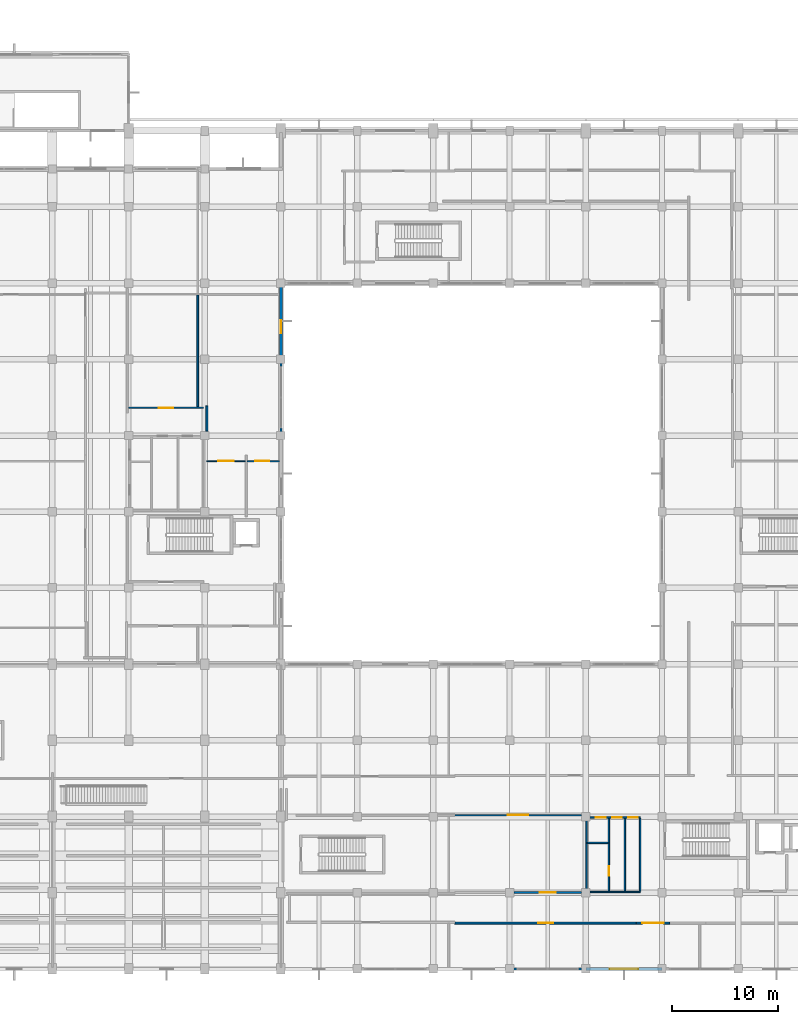
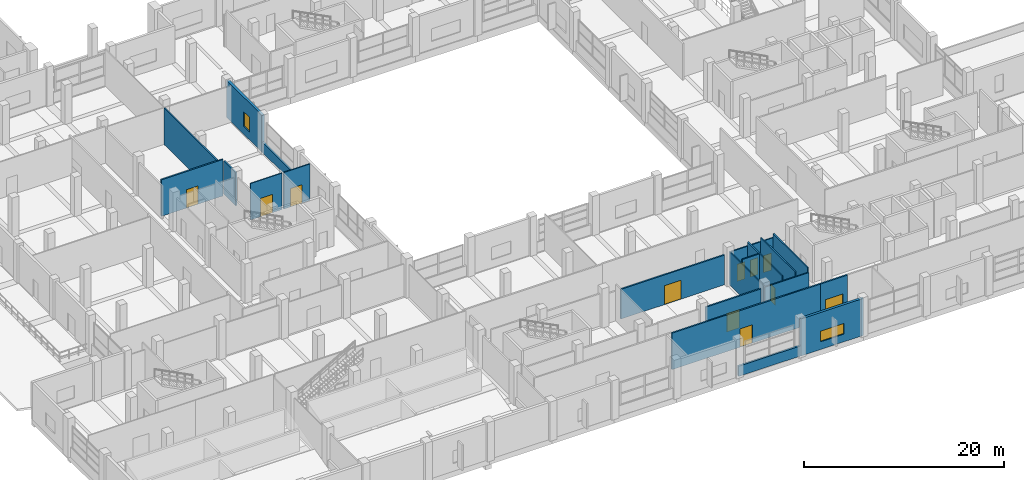
# One storey, part 121 of 140: 20 walls, 11 doors, 2 windows, 13 openings.
"""IFC4 building model written with IfcOpenShell, lengths in metres."""

import ifcopenshell
import ifcopenshell.guid

model = None  # the IFC model being written
_history = None  # IfcOwnerHistory: only IFC2X3 demands one
_inside = {}  # id of a spatial element -> (the spatial element, [elements in it])
_under = {}  # id of a project, library or spatial element -> (it, [spatial elements below it])
_declared = {}  # id of a project -> (the project, [libraries it declares])
_typed = {}  # id of a type object -> (the type object, [elements of that type])
_made_of = {}  # id of a material, layer set ... -> (it, [elements and type objects made of it])


def new_model(schema):
    """Start an empty IFC model of exactly this schema.

    Asked for "IFC4X3", IfcOpenShell would pick the latest addendum, in which some entities
    have other attributes; the version numbers below select the first issue.
    IFC2X3 requires an IfcOwnerHistory on every rooted entity: one is made here for all.
    """
    global model, _history
    if schema == "IFC4X3":
        model = ifcopenshell.file(schema_version=(4, 3, 0, 0))
    else:
        model = ifcopenshell.file(schema=schema)
    _inside.clear()
    _under.clear()
    _declared.clear()
    _typed.clear()
    _made_of.clear()
    _history = None
    if model.schema == "IFC2X3":
        org = make("IfcOrganization", Name="unknown")
        user = make(
            "IfcPersonAndOrganization",
            ThePerson=make("IfcPerson", FamilyName="unknown"),
            TheOrganization=org,
        )
        app = make(
            "IfcApplication",
            ApplicationDeveloper=org,
            Version="unknown",
            ApplicationFullName="unknown",
            ApplicationIdentifier="unknown",
        )
        _history = make(
            "IfcOwnerHistory",
            OwningUser=user,
            OwningApplication=app,
            ChangeAction="ADDED",
            CreationDate=0,
        )
    return model


def make(cls, **values):
    """One entity of the class cls with the attributes given. An attribute that is None is left unset."""
    return model.create_entity(
        cls, **{name: value for name, value in values.items() if value is not None}
    )


def rooted(cls, **values):
    """An entity with a GlobalId (a new one), such as an element, a storey or a relation."""
    return make(cls, GlobalId=ifcopenshell.guid.new(), OwnerHistory=_history, **values)


def si_unit(unit_type, name, prefix=None):
    """IfcSIUnit, for example si_unit("LENGTHUNIT", "METRE", prefix="MILLI")."""
    return make("IfcSIUnit", UnitType=unit_type, Prefix=prefix, Name=name)


def assignment(units):
    """IfcUnitAssignment: the units of a project."""
    return None if units is None else make("IfcUnitAssignment", Units=units)


def point(xyz):
    """IfcCartesianPoint."""
    return None if xyz is None else make("IfcCartesianPoint", Coordinates=xyz)


def direction(xyz):
    """IfcDirection."""
    return None if xyz is None else make("IfcDirection", DirectionRatios=xyz)


def frame(location, z_axis=None, x_axis=None):
    """IfcAxis2Placement3D, a coordinate frame: its origin and axes. An axis left out is left unset."""
    return make(
        "IfcAxis2Placement3D",
        Location=point(location),
        Axis=direction(z_axis),
        RefDirection=direction(x_axis),
    )


def frame_2d(location, x_axis=None):
    """IfcAxis2Placement2D, a coordinate frame in the plane: its origin and x axis."""
    return make(
        "IfcAxis2Placement2D", Location=point(location), RefDirection=direction(x_axis)
    )


def origin():
    """The frame at (0, 0, 0) with its axes left unset."""
    return frame((0.0, 0.0, 0.0))


def place(relative_to, where):
    """IfcLocalPlacement: puts the frame where relative to a parent placement (None: the world)."""
    return make(
        "IfcLocalPlacement", PlacementRelTo=relative_to, RelativePlacement=where
    )


def context(
    kind, dimensions, precision=None, world=None, true_north=None, identifier=None
):
    """IfcGeometricRepresentationContext, for example the 3D "Model" context."""
    return make(
        "IfcGeometricRepresentationContext",
        ContextIdentifier=identifier,
        ContextType=kind,
        CoordinateSpaceDimension=dimensions,
        Precision=precision,
        WorldCoordinateSystem=world,
        TrueNorth=true_north,
    )


def subcontext(parent, identifier, kind, view, scale=None):
    """IfcGeometricRepresentationSubContext, for example "Body" below "Model"."""
    return make(
        "IfcGeometricRepresentationSubContext",
        ContextIdentifier=identifier,
        ContextType=kind,
        ParentContext=parent,
        TargetScale=scale,
        TargetView=view,
    )


def project(units=None, contexts=None):
    """IfcProject with its units and contexts."""
    return rooted(
        "IfcProject",
        Name="project",
        RepresentationContexts=contexts,
        UnitsInContext=assignment(units),
    )


def spatial(cls, under=None, at=None, **own):
    """A site, building, storey or space (cls), placed at a placement, below another one or the project."""
    s = rooted(cls, ObjectPlacement=at, **own)
    if under is not None:
        _under.setdefault(under.id(), (under, []))[1].append(s)
    return s


def profile(cls, at=None, kind="AREA", **sizes):
    """A parametric profile (cls). Its sizes go by their IFC names, for example OverallWidth=200.0."""
    return make(cls, ProfileType=kind, Position=at, **sizes)


def rectangle(**sizes):
    """IfcRectangleProfileDef."""
    return profile("IfcRectangleProfileDef", **sizes)


def extrude(swept, where, along, depth):
    """IfcExtrudedAreaSolid: the profile swept, set in the frame where, extruded along a direction by depth."""
    return make(
        "IfcExtrudedAreaSolid",
        SweptArea=swept,
        Position=where,
        ExtrudedDirection=direction(along),
        Depth=depth,
    )


def shape(context_of_items, identifier, shape_type, items):
    """IfcShapeRepresentation: the items that make up one representation, for example the "Body"."""
    return make(
        "IfcShapeRepresentation",
        ContextOfItems=context_of_items,
        RepresentationIdentifier=identifier,
        RepresentationType=shape_type,
        Items=items,
    )


def material(Name=None, Category=None):
    """IfcMaterial."""
    return make("IfcMaterial", Name=Name, Category=Category)


def layer(
    of_material, thickness, ventilated=None, Name=None, Category=None, Priority=None
):
    """IfcMaterialLayer: one layer of a wall or slab, of a material (None: an air gap)."""
    return make(
        "IfcMaterialLayer",
        Material=of_material,
        LayerThickness=thickness,
        IsVentilated=ventilated,
        Name=Name,
        Category=Category,
        Priority=Priority,
    )


def layer_set(layers, Name=None):
    """IfcMaterialLayerSet."""
    return make("IfcMaterialLayerSet", MaterialLayers=layers, LayerSetName=Name)


def made_of(thing, what):
    """Note that an element or type object is made of a material, layer set ...; save() writes the relation."""
    if what is not None:
        _made_of.setdefault(what.id(), (what, []))[1].append(thing)
    return thing


def type_object(cls, material=None, **own):
    """A type object (cls), such as IfcWallType, which elements share."""
    return made_of(rooted(cls, **own), material)


def element(
    cls,
    number,
    at=None,
    inside=None,
    cuts=None,
    type_object=None,
    material=None,
    context=None,
    identifier="Body",
    shape_type=None,
    held_by="IfcProductDefinitionShape",
    body=None,
    shapes=None,
    **own,
):
    """One element of the class cls, such as IfcWall. Its Tag is "e" and its number.

    at: its placement. inside: the storey or other place that contains it. cuts: it is an
    opening in that element (IfcRelVoidsElement). A single representation is given by context,
    identifier, shape_type and body (its items); several are given by shapes. held_by: the class
    of the entity that holds the representations. save() writes the other relations.
    """
    e = rooted(cls, Tag="e%d" % number, ObjectPlacement=at, **own)
    if body is not None:
        shapes = [shape(context, identifier, shape_type, body)]
    if shapes is not None:
        e.Representation = make(held_by, Representations=shapes)
    if inside is not None:
        _inside.setdefault(inside.id(), (inside, []))[1].append(e)
    if cuts is not None:
        rooted(
            "IfcRelVoidsElement", RelatingBuildingElement=cuts, RelatedOpeningElement=e
        )
    if type_object is not None:
        _typed.setdefault(type_object.id(), (type_object, []))[1].append(e)
    return made_of(e, material)


def fill(opening, filler):
    """IfcRelFillsElement: the door or window that sits in an opening."""
    return rooted(
        "IfcRelFillsElement",
        RelatingOpeningElement=opening,
        RelatedBuildingElement=filler,
    )


def aggregate(whole, parts):
    """IfcRelAggregates: a whole, such as a stair, and the parts it consists of."""
    return rooted("IfcRelAggregates", RelatingObject=whole, RelatedObjects=parts)


def save(model, path):
    """Write the relations noted so far, then the file.

    IfcRelAggregates (storeys below a building ...), IfcRelContainedInSpatialStructure (elements
    in a storey), IfcRelDefinesByType, IfcRelAssociatesMaterial and IfcRelDeclares: one each for
    every whole, place, type object, material and project.
    """
    for whole, parts in _under.values():
        aggregate(whole, parts)
    for where, things in _inside.values():
        rooted(
            "IfcRelContainedInSpatialStructure",
            RelatedElements=things,
            RelatingStructure=where,
        )
    for kind, things in _typed.values():
        rooted("IfcRelDefinesByType", RelatedObjects=things, RelatingType=kind)
    for what, things in _made_of.values():
        rooted("IfcRelAssociatesMaterial", RelatedObjects=things, RelatingMaterial=what)
    for by, libraries in _declared.values():
        rooted("IfcRelDeclares", RelatingContext=by, RelatedDefinitions=libraries)
    model.write(path)


model = new_model("IFC4")

# Units and contexts
model_context = context("Model", 3, precision=1e-05, world=origin(), true_north=direction((0.0, 1.0)))
body_context = subcontext(model_context, "Body", "Model", "MODEL_VIEW")
ifc_project = project(units=[si_unit("LENGTHUNIT", "METRE"), si_unit("AREAUNIT", "SQUARE_METRE"), si_unit("VOLUMEUNIT", "CUBIC_METRE"), si_unit("PLANEANGLEUNIT", "RADIAN"), si_unit("MASSUNIT", "GRAM", prefix="KILO")], contexts=[model_context])

# Site, building, storey
site_placement = place(None, origin())
site = spatial("IfcSite", under=ifc_project, at=site_placement, CompositionType="ELEMENT")
building_placement = place(site_placement, origin())
building = spatial("IfcBuilding", under=site, at=building_placement, Name="Seraya Terrace Polytechnic", CompositionType="ELEMENT")
storey_placement = place(building_placement, frame((0.0, 0.0, 9.60009765625)))
storey = spatial("IfcBuildingStorey", under=building, at=storey_placement, Name="L02", CompositionType="ELEMENT", Elevation=9.60009765625)

# Wall, opening, window
ifc_material_1 = material(Name="Precast concrete C40/50", Category="concrete")
ifc_layer_1 = layer(ifc_material_1, 0.280029296875, Name="EW-02")
ifc_layer_set_1 = layer_set([ifc_layer_1], Name="Precast concrete C40/50")
wall_type_1 = type_object("IfcWallType", Name="EW-02", PredefinedType="SOLIDWALL", material=ifc_layer_set_1)
wall_1_placement = place(storey_placement, frame((79.199951171875, 0.0, 0.0), z_axis=(0.0, 0.0, 1.0), x_axis=(-1.0, 0.0, 0.0)))
wall_1 = element("IfcWall", 1, at=wall_1_placement, inside=storey, type_object=wall_type_1, Name="Exterior structural wall EW-02 L02", PredefinedType="SOLIDWALL", context=body_context, shape_type="SweptSolid", body=[
    extrude(rectangle(XDim=7.199951171875, YDim=0.280029296875, at=frame_2d((3.60009765625, 0.0))), origin(), (0.0, 0.0, 1.0), 4.52001953125),
])
opening_1_placement = place(wall_1_placement, frame((2.25, 0.0, 0.949951171875)))
opening_1 = element("IfcOpeningElement", 2, at=opening_1_placement, cuts=wall_1, Name="Opening WN-11", PredefinedType="OPENING", context=body_context, shape_type="SweptSolid", body=[
    extrude(rectangle(XDim=2.699951171875, YDim=1.300048828125, at=frame_2d((1.35009765625, 0.64990234375))), frame((0.0, 0.15185546875, 0.0), z_axis=(0.0, -1.0, 0.0), x_axis=(1.0, 0.0, 0.0)), (0.0, 0.0, 1.0), 0.303955078125),
])
ifc_material_2 = material(Name="Laminated solar-control Low-E double glazing", Category="glass")
window_type_1 = type_object("IfcWindowType", Name="WN-11", PartitioningType="SINGLE_PANEL", PredefinedType="WINDOW", material=ifc_material_2)
window_1_placement = place(opening_1_placement, origin())
window_1 = element("IfcWindow", 3, at=window_1_placement, inside=storey, type_object=window_type_1, Name="Exterior window WN-11 L02", OverallHeight=1.300048828125, OverallWidth=2.699951171875, PartitioningType="SINGLE_PANEL", PredefinedType="WINDOW", context=body_context, shape_type="SweptSolid", body=[
    extrude(rectangle(XDim=2.699951171875, YDim=1.300048828125, at=frame_2d((1.35009765625, 0.64990234375))), frame((0.0, 0.030029296875, 0.0), z_axis=(0.0, -1.0, 0.0), x_axis=(1.0, 0.0, 0.0)), (0.0, 0.0, 1.0), 0.06005859375),
])
fill(opening_1, window_1)

wall_2_placement = place(storey_placement, frame((43.199951171875, 64.64794921875, 0.0), z_axis=(0.0, 0.0, 1.0), x_axis=(0.0, -1.0, 0.0)))
wall_2 = element("IfcWall", 4, at=wall_2_placement, inside=storey, type_object=wall_type_1, Name="Exterior structural wall EW-02 L02", PredefinedType="SOLIDWALL", context=body_context, shape_type="SweptSolid", body=[
    extrude(rectangle(XDim=7.0478515625, YDim=0.280029296875, at=frame_2d((3.52392578125, 0.0))), origin(), (0.0, 0.0, 1.0), 4.52001953125),
])
opening_2_placement = place(wall_2_placement, frame((3.3740234375, 0.0, 0.949951171875)))
opening_2 = element("IfcOpeningElement", 5, at=opening_2_placement, cuts=wall_2, Name="Opening WN-27", PredefinedType="OPENING", context=body_context, shape_type="SweptSolid", body=[
    extrude(rectangle(XDim=1.199951171875, YDim=1.800048828125, at=frame_2d((0.60009765625, 0.89990234375))), frame((0.0, 0.15185546875, 0.0), z_axis=(0.0, -1.0, 0.0), x_axis=(1.0, 0.0, 0.0)), (0.0, 0.0, 1.0), 0.303955078125),
])
window_type_2 = type_object("IfcWindowType", Name="WN-27", PartitioningType="SINGLE_PANEL", PredefinedType="WINDOW", material=ifc_material_2)
window_2_placement = place(opening_2_placement, origin())
window_2 = element("IfcWindow", 6, at=window_2_placement, inside=storey, type_object=window_type_2, Name="Exterior window WN-27 L02", OverallHeight=1.800048828125, OverallWidth=1.199951171875, PartitioningType="SINGLE_PANEL", PredefinedType="WINDOW", context=body_context, shape_type="SweptSolid", body=[
    extrude(rectangle(XDim=1.199951171875, YDim=1.800048828125, at=frame_2d((0.60009765625, 0.89990234375))), frame((0.0, 0.030029296875, 0.0), z_axis=(0.0, -1.0, 0.0), x_axis=(1.0, 0.0, 0.0)), (0.0, 0.0, 1.0), 0.06005859375),
])
fill(opening_2, window_2)

# Walls
ifc_layer_2 = layer(ifc_material_1, 0.219970703125, Name="EW-05")
ifc_layer_set_2 = layer_set([ifc_layer_2], Name="Precast concrete C40/50")
wall_type_2 = type_object("IfcWallType", Name="EW-05", PredefinedType="SOLIDWALL", material=ifc_layer_set_2)
wall_3_placement = place(storey_placement, frame((72.0, 0.0, 0.0), z_axis=(0.0, 0.0, 1.0), x_axis=(-1.0, 0.0, 0.0)))
element("IfcWall", 7, at=wall_3_placement, inside=storey, type_object=wall_type_2, Name="Precast spandrel wall L02", PredefinedType="SOLIDWALL", context=body_context, shape_type="SweptSolid", body=[
    extrude(rectangle(XDim=7.199951171875, YDim=0.219970703125, at=frame_2d((3.60009765625, 0.0))), origin(), (0.0, 0.0, 1.0), 1.239990234375),
])
wall_4_placement = place(storey_placement, frame((43.199951171875, 57.60009765625, 0.0), z_axis=(0.0, 0.0, 1.0), x_axis=(0.0, -1.0, 0.0)))
element("IfcWall", 8, at=wall_4_placement, inside=storey, type_object=wall_type_2, Name="Precast spandrel wall L02", PredefinedType="SOLIDWALL", context=body_context, shape_type="SweptSolid", body=[
    extrude(rectangle(XDim=7.2001953125, YDim=0.219970703125, at=frame_2d((3.60009765625, 0.0))), origin(), (0.0, 0.0, 1.0), 1.239990234375),
])

# Wall, opening, door
ifc_material_3 = material(Name="Autoclaved aerated concrete blockwork", Category="masonry")
ifc_layer_3 = layer(ifc_material_3, 0.169921875, Name="PT-02")
ifc_layer_set_3 = layer_set([ifc_layer_3], Name="Autoclaved aerated concrete blockwork")
wall_type_3 = type_object("IfcWallType", Name="PT-02", PredefinedType="PARTITIONING", material=ifc_layer_set_3)
wall_5_placement = place(storey_placement, frame((59.612060546875, 14.530029296875, 0.0), z_axis=(0.0, 0.0, 1.0), x_axis=(1.0, 0.0, 0.0)))
wall_5 = element("IfcWall", 9, at=wall_5_placement, inside=storey, type_object=wall_type_3, Name="Internal partition PT-02 L02", PredefinedType="PARTITIONING", context=body_context, shape_type="SweptSolid", body=[
    extrude(rectangle(XDim=11.97802734375, YDim=0.169921875, at=frame_2d((5.989013671875, 0.0))), origin(), (0.0, 0.0, 1.0), 3.6298828125),
])
opening_3_placement = place(wall_5_placement, frame((5.029052734375, 0.0, 0.0)))
opening_3 = element("IfcOpeningElement", 10, at=opening_3_placement, cuts=wall_5, Name="Opening ID-16", PredefinedType="OPENING", context=body_context, shape_type="SweptSolid", body=[
    extrude(rectangle(XDim=1.919921875, YDim=2.320068359375, at=frame_2d((0.9599609375, 1.16015625))), frame((0.0, 0.096923828125, 0.0), z_axis=(0.0, -1.0, 0.0), x_axis=(1.0, 0.0, 0.0)), (0.0, 0.0, 1.0), 0.19384765625),
])
ifc_material_4 = material(Name="Malaysian dark red meranti hardwood timber D40", Category="wood")
door_type_1 = type_object("IfcDoorType", Name="ID-16", OperationType="DOUBLE_DOOR_SINGLE_SWING", PredefinedType="DOOR", material=ifc_material_4)
door_1_placement = place(opening_3_placement, frame((1.919921875, 0.0, 0.0), z_axis=(0.0, 0.0, 1.0), x_axis=(-1.0, 0.0, 0.0)))
door_1 = element("IfcDoor", 11, at=door_1_placement, inside=storey, type_object=door_type_1, Name="Door ID-16 DR-INT-L02-0141 in WL-INT-L02-0424", OperationType="DOUBLE_DOOR_SINGLE_SWING", OverallHeight=2.320068359375, OverallWidth=1.919921875, PredefinedType="DOOR", context=body_context, shape_type="SweptSolid", body=[
    extrude(rectangle(XDim=1.919921875, YDim=2.320068359375, at=frame_2d((0.9599609375, 1.16015625))), frame((0.0, 0.02490234375, 0.0), z_axis=(0.0, -1.0, 0.0), x_axis=(1.0, 0.0, 0.0)), (0.0, 0.0, 1.0), 0.050048828125),
])
fill(opening_3, door_1)

wall_6_placement = place(storey_placement, frame((76.7900390625, 4.330078125, 0.0), z_axis=(0.0, 0.0, 1.0), x_axis=(1.0, 0.0, 0.0)))
wall_6 = element("IfcWall", 12, at=wall_6_placement, inside=storey, type_object=wall_type_3, Name="Internal partition PT-02 L02", PredefinedType="PARTITIONING", context=body_context, shape_type="SweptSolid", body=[
    extrude(rectangle(XDim=3.119873046875, YDim=0.169921875, at=frame_2d((1.56005859375, 0.0))), origin(), (0.0, 0.0, 1.0), 4.4599609375),
])
opening_4_placement = place(wall_6_placement, frame((0.5400390625, 0.0, 0.0)))
opening_4 = element("IfcOpeningElement", 13, at=opening_4_placement, cuts=wall_6, Name="Opening ID-17", PredefinedType="OPENING", context=body_context, shape_type="SweptSolid", body=[
    extrude(rectangle(XDim=2.0400390625, YDim=2.340087890625, at=frame_2d((1.02001953125, 1.169921875))), frame((0.0, 0.096923828125, 0.0), z_axis=(0.0, -1.0, 0.0), x_axis=(1.0, 0.0, 0.0)), (0.0, 0.0, 1.0), 0.19384765625),
])
door_type_2 = type_object("IfcDoorType", Name="ID-17", OperationType="DOUBLE_DOOR_SINGLE_SWING", PredefinedType="DOOR", material=ifc_material_4)
door_2_placement = place(opening_4_placement, origin())
door_2 = element("IfcDoor", 14, at=door_2_placement, inside=storey, type_object=door_type_2, Name="Door ID-17 DR-INT-L02-0158 in WL-INT-L02-0435", OperationType="DOUBLE_DOOR_SINGLE_SWING", OverallHeight=2.340087890625, OverallWidth=2.0400390625, PredefinedType="DOOR", context=body_context, shape_type="SweptSolid", body=[
    extrude(rectangle(XDim=2.0400390625, YDim=2.340087890625, at=frame_2d((1.02001953125, 1.169921875))), frame((0.0, 0.02490234375, 0.0), z_axis=(0.0, -1.0, 0.0), x_axis=(1.0, 0.0, 0.0)), (0.0, 0.0, 1.0), 0.050048828125),
])
fill(opening_4, door_2)

wall_7_placement = place(storey_placement, frame((59.62353515625, 4.330078125, 0.0), z_axis=(0.0, 0.0, 1.0), x_axis=(1.0, 0.0, 0.0)))
wall_7 = element("IfcWall", 15, at=wall_7_placement, inside=storey, type_object=wall_type_3, Name="Internal partition PT-02 L02", PredefinedType="PARTITIONING", context=body_context, shape_type="SweptSolid", body=[
    extrude(rectangle(XDim=17.16650390625, YDim=0.169921875, at=frame_2d((8.583251953125, 0.0))), origin(), (0.0, 0.0, 1.0), 4.4599609375),
])
opening_5_placement = place(wall_7_placement, frame((7.873291015625, 0.0, 0.0)))
opening_5 = element("IfcOpeningElement", 16, at=opening_5_placement, cuts=wall_7, Name="Opening ID-10", PredefinedType="OPENING", context=body_context, shape_type="SweptSolid", body=[
    extrude(rectangle(XDim=1.419921875, YDim=2.239990234375, at=frame_2d((0.7099609375, 1.1201171875))), frame((0.0, 0.096923828125, 0.0), z_axis=(0.0, -1.0, 0.0), x_axis=(1.0, 0.0, 0.0)), (0.0, 0.0, 1.0), 0.19384765625),
])
door_type_3 = type_object("IfcDoorType", Name="ID-10", OperationType="DOUBLE_DOOR_SINGLE_SWING", PredefinedType="DOOR", material=ifc_material_4)
door_3_placement = place(opening_5_placement, frame((1.419921875, 0.0, 0.0), z_axis=(0.0, 0.0, 1.0), x_axis=(-1.0, 0.0, 0.0)))
door_3 = element("IfcDoor", 17, at=door_3_placement, inside=storey, type_object=door_type_3, Name="Door ID-10 DR-INT-L02-0135 in WL-INT-L02-0449", OperationType="DOUBLE_DOOR_SINGLE_SWING", OverallHeight=2.239990234375, OverallWidth=1.419921875, PredefinedType="DOOR", context=body_context, shape_type="SweptSolid", body=[
    extrude(rectangle(XDim=1.419921875, YDim=2.239990234375, at=frame_2d((0.7099609375, 1.1201171875))), frame((0.0, 0.02490234375, 0.0), z_axis=(0.0, -1.0, 0.0), x_axis=(1.0, 0.0, 0.0)), (0.0, 0.0, 1.0), 0.050048828125),
])
fill(opening_5, door_3)

wall_8_placement = place(storey_placement, frame((65.2099609375, 7.219970703125, 0.0), z_axis=(0.0, 0.0, 1.0), x_axis=(1.0, 0.0, 0.0)))
wall_8 = element("IfcWall", 18, at=wall_8_placement, inside=storey, type_object=wall_type_3, Name="Internal partition PT-02 L02", PredefinedType="PARTITIONING", context=body_context, shape_type="SweptSolid", body=[
    extrude(rectangle(XDim=6.380126953125, YDim=0.169921875, at=frame_2d((3.18994140625, 0.0))), origin(), (0.0, 0.0, 1.0), 3.929931640625),
])
opening_6_placement = place(wall_8_placement, frame((2.449951171875, 0.0, 0.0)))
opening_6 = element("IfcOpeningElement", 19, at=opening_6_placement, cuts=wall_8, Name="Opening ID-11", PredefinedType="OPENING", context=body_context, shape_type="SweptSolid", body=[
    extrude(rectangle(XDim=1.47998046875, YDim=2.260009765625, at=frame_2d((0.739990234375, 1.1298828125))), frame((0.0, 0.096923828125, 0.0), z_axis=(0.0, -1.0, 0.0), x_axis=(1.0, 0.0, 0.0)), (0.0, 0.0, 1.0), 0.19384765625),
])
door_type_4 = type_object("IfcDoorType", Name="ID-11", OperationType="DOUBLE_DOOR_SINGLE_SWING", PredefinedType="DOOR", material=ifc_material_4)
door_4_placement = place(opening_6_placement, origin())
door_4 = element("IfcDoor", 20, at=door_4_placement, inside=storey, type_object=door_type_4, Name="Door ID-11 DR-INT-L02-0184 in WL-INT-L02-0450", OperationType="DOUBLE_DOOR_SINGLE_SWING", OverallHeight=2.260009765625, OverallWidth=1.47998046875, PredefinedType="DOOR", context=body_context, shape_type="SweptSolid", body=[
    extrude(rectangle(XDim=1.47998046875, YDim=2.260009765625, at=frame_2d((0.739990234375, 1.1298828125))), frame((0.0, 0.02490234375, 0.0), z_axis=(0.0, -1.0, 0.0), x_axis=(1.0, 0.0, 0.0)), (0.0, 0.0, 1.0), 0.050048828125),
])
fill(opening_6, door_4)

wall_9_placement = place(storey_placement, frame((28.77001953125, 53.02001953125, 0.0), z_axis=(0.0, 0.0, 1.0), x_axis=(1.0, 0.0, 0.0)))
wall_9 = element("IfcWall", 21, at=wall_9_placement, inside=storey, type_object=wall_type_3, Name="Internal partition PT-02 L02", PredefinedType="PARTITIONING", context=body_context, shape_type="SweptSolid", body=[
    extrude(rectangle(XDim=7.1259765625, YDim=0.169921875, at=frame_2d((3.56298828125, 0.0))), origin(), (0.0, 0.0, 1.0), 4.4599609375),
])
opening_7_placement = place(wall_9_placement, frame((2.89306640625, 0.0, 0.0)))
opening_7 = element("IfcOpeningElement", 22, at=opening_7_placement, cuts=wall_9, Name="Opening ID-09", PredefinedType="OPENING", context=body_context, shape_type="SweptSolid", body=[
    extrude(rectangle(XDim=1.340087890625, YDim=2.239990234375, at=frame_2d((0.669921875, 1.1201171875))), frame((0.0, 0.096923828125, 0.0), z_axis=(0.0, -1.0, 0.0), x_axis=(1.0, 0.0, 0.0)), (0.0, 0.0, 1.0), 0.19384765625),
])
door_type_5 = type_object("IfcDoorType", Name="ID-09", OperationType="NOTDEFINED", PredefinedType="DOOR", material=ifc_material_4)
door_5_placement = place(opening_7_placement, origin())
door_5 = element("IfcDoor", 23, at=door_5_placement, inside=storey, type_object=door_type_5, Name="Door ID-09 DR-INT-L02-0150 in WL-INT-L02-0480", OperationType="SINGLE_SWING_LEFT", OverallHeight=2.239990234375, OverallWidth=1.340087890625, PredefinedType="DOOR", context=body_context, shape_type="SweptSolid", body=[
    extrude(rectangle(XDim=1.340087890625, YDim=2.239990234375, at=frame_2d((0.669921875, 1.1201171875))), frame((0.0, 0.02490234375, 0.0), z_axis=(0.0, -1.0, 0.0), x_axis=(1.0, 0.0, 0.0)), (0.0, 0.0, 1.0), 0.050048828125),
])
fill(opening_7, door_5)

# Walls
wall_10_placement = place(storey_placement, frame((36.199951171875, 50.81005859375, 0.0), z_axis=(0.0, 0.0, 1.0), x_axis=(0.0, 1.0, 0.0)))
element("IfcWall", 24, at=wall_10_placement, inside=storey, type_object=wall_type_3, Name="Internal partition PT-02 L02", PredefinedType="PARTITIONING", context=body_context, shape_type="SweptSolid", body=[
    extrude(rectangle(XDim=2.3798828125, YDim=0.169921875, at=frame_2d((1.18994140625, 0.0))), origin(), (0.0, 0.0, 1.0), 4.02978515625),
])
ifc_layer_4 = layer(ifc_material_3, 0.14990234375, Name="PT-03")
ifc_layer_set_4 = layer_set([ifc_layer_4], Name="Autoclaved aerated concrete blockwork")
wall_type_4 = type_object("IfcWallType", Name="PT-03", PredefinedType="PARTITIONING", material=ifc_layer_set_4)
wall_11_placement = place(storey_placement, frame((35.3359375, 53.1201171875, 0.0), z_axis=(0.0, 0.0, 1.0), x_axis=(0.0, 1.0, 0.0)))
element("IfcWall", 25, at=wall_11_placement, inside=storey, type_object=wall_type_4, Name="Internal partition PT-03 L02", PredefinedType="PARTITIONING", context=body_context, shape_type="SweptSolid", body=[
    extrude(rectangle(XDim=10.54296875, YDim=0.14990234375, at=frame_2d((5.271484375, 0.0))), origin(), (0.0, 0.0, 1.0), 4.4599609375),
])
ifc_layer_5 = layer(ifc_material_3, 0.139892578125, Name="PT-04")
ifc_layer_set_5 = layer_set([ifc_layer_5], Name="Autoclaved aerated concrete blockwork")
wall_type_5 = type_object("IfcWallType", Name="PT-04", PredefinedType="PARTITIONING", material=ifc_layer_set_5)
wall_12_placement = place(storey_placement, frame((72.070068359375, 7.27001953125, 0.0), z_axis=(0.0, 0.0, 1.0), x_axis=(1.0, 0.0, 0.0)))
element("IfcWall", 26, at=wall_12_placement, inside=storey, type_object=wall_type_5, Name="Sanitary WC-A South wall L02", PredefinedType="PARTITIONING", context=body_context, shape_type="SweptSolid", body=[
    extrude(rectangle(XDim=5.059814453125, YDim=0.139892578125, at=frame_2d((2.52978515625, 0.0))), origin(), (0.0, 0.0, 1.0), 3.929931640625),
])

# Wall, openings, doors
wall_13_placement = place(storey_placement, frame((72.070068359375, 14.330078125, 0.0), z_axis=(0.0, 0.0, 1.0), x_axis=(1.0, 0.0, 0.0)))
wall_13 = element("IfcWall", 27, at=wall_13_placement, inside=storey, type_object=wall_type_5, Name="Sanitary WC-A North wall L02", PredefinedType="PARTITIONING", context=body_context, shape_type="SweptSolid", body=[
    extrude(rectangle(XDim=5.059814453125, YDim=0.139892578125, at=frame_2d((2.52978515625, 0.0))), origin(), (0.0, 0.0, 1.0), 3.929931640625),
])
opening_8_placement = place(wall_13_placement, frame((0.8798828125, 0.0, 0.0)))
opening_8 = element("IfcOpeningElement", 28, at=opening_8_placement, cuts=wall_13, Name="Opening ID-01", PredefinedType="OPENING", context=body_context, shape_type="SweptSolid", body=[
    extrude(rectangle(XDim=0.93994140625, YDim=2.10009765625, at=frame_2d((0.469970703125, 1.050048828125))), frame((0.0, 0.08203125, 0.0), z_axis=(0.0, -1.0, 0.0), x_axis=(1.0, 0.0, 0.0)), (0.0, 0.0, 1.0), 0.163818359375),
])
opening_9_placement = place(wall_13_placement, frame((2.4150390625, 0.0, 0.0)))
opening_9 = element("IfcOpeningElement", 29, at=opening_9_placement, cuts=wall_13, Name="Opening ID-02", PredefinedType="OPENING", context=body_context, shape_type="SweptSolid", body=[
    extrude(rectangle(XDim=0.89990234375, YDim=2.080078125, at=frame_2d((0.449951171875, 1.0400390625))), frame((0.0, 0.08203125, 0.0), z_axis=(0.0, -1.0, 0.0), x_axis=(1.0, 0.0, 0.0)), (0.0, 0.0, 1.0), 0.163818359375),
])
opening_10_placement = place(wall_13_placement, frame((3.925048828125, 0.0, 0.0)))
opening_10 = element("IfcOpeningElement", 30, at=opening_10_placement, cuts=wall_13, Name="Opening ID-02", PredefinedType="OPENING", context=body_context, shape_type="SweptSolid", body=[
    extrude(rectangle(XDim=0.89990234375, YDim=2.080078125, at=frame_2d((0.449951171875, 1.0400390625))), frame((0.0, 0.08203125, 0.0), z_axis=(0.0, -1.0, 0.0), x_axis=(1.0, 0.0, 0.0)), (0.0, 0.0, 1.0), 0.163818359375),
])
door_type_6 = type_object("IfcDoorType", Name="ID-01", OperationType="NOTDEFINED", PredefinedType="DOOR", material=ifc_material_4)
door_6_placement = place(opening_8_placement, origin())
door_6 = element("IfcDoor", 31, at=door_6_placement, inside=storey, type_object=door_type_6, Name="Door ID-01 DR-WC-WC-A-L02-OKU in WL-WC-WC-A-L02-N", OperationType="SINGLE_SWING_LEFT", OverallHeight=2.10009765625, OverallWidth=0.93994140625, PredefinedType="DOOR", context=body_context, shape_type="SweptSolid", body=[
    extrude(rectangle(XDim=0.93994140625, YDim=2.10009765625, at=frame_2d((0.469970703125, 1.050048828125))), frame((0.0, 0.02490234375, 0.0), z_axis=(0.0, -1.0, 0.0), x_axis=(1.0, 0.0, 0.0)), (0.0, 0.0, 1.0), 0.050048828125),
])
fill(opening_8, door_6)
door_type_7 = type_object("IfcDoorType", Name="ID-02", OperationType="NOTDEFINED", PredefinedType="DOOR", material=ifc_material_4)
door_7_placement = place(opening_9_placement, frame((0.89990234375, 0.0, 0.0), z_axis=(0.0, 0.0, 1.0), x_axis=(-1.0, 0.0, 0.0)))
door_7 = element("IfcDoor", 32, at=door_7_placement, inside=storey, type_object=door_type_7, Name="Door ID-02 DR-WC-WC-A-L02-M in WL-WC-WC-A-L02-N", OperationType="SINGLE_SWING_RIGHT", OverallHeight=2.080078125, OverallWidth=0.89990234375, PredefinedType="DOOR", context=body_context, shape_type="SweptSolid", body=[
    extrude(rectangle(XDim=0.89990234375, YDim=2.080078125, at=frame_2d((0.449951171875, 1.0400390625))), frame((0.0, 0.02490234375, 0.0), z_axis=(0.0, -1.0, 0.0), x_axis=(1.0, 0.0, 0.0)), (0.0, 0.0, 1.0), 0.050048828125),
])
fill(opening_9, door_7)
door_8_placement = place(opening_10_placement, frame((0.89990234375, 0.0, 0.0), z_axis=(0.0, 0.0, 1.0), x_axis=(-1.0, 0.0, 0.0)))
door_8 = element("IfcDoor", 33, at=door_8_placement, inside=storey, type_object=door_type_7, Name="Door ID-02 DR-WC-WC-A-L02-F in WL-WC-WC-A-L02-N", OperationType="SINGLE_SWING_LEFT", OverallHeight=2.080078125, OverallWidth=0.89990234375, PredefinedType="DOOR", context=body_context, shape_type="SweptSolid", body=[
    extrude(rectangle(XDim=0.89990234375, YDim=2.080078125, at=frame_2d((0.449951171875, 1.0400390625))), frame((0.0, 0.02490234375, 0.0), z_axis=(0.0, -1.0, 0.0), x_axis=(1.0, 0.0, 0.0)), (0.0, 0.0, 1.0), 0.050048828125),
])
fill(opening_10, door_8)

# Walls
wall_14_placement = place(storey_placement, frame((72.070068359375, 7.35009765625, 0.0), z_axis=(0.0, 0.0, 1.0), x_axis=(0.0, 1.0, 0.0)))
element("IfcWall", 34, at=wall_14_placement, inside=storey, type_object=wall_type_5, Name="Sanitary WC-A West wall L02", PredefinedType="PARTITIONING", context=body_context, shape_type="SweptSolid", body=[
    extrude(rectangle(XDim=6.89990234375, YDim=0.139892578125, at=frame_2d((3.449951171875, 0.0))), origin(), (0.0, 0.0, 1.0), 4.02978515625),
])
wall_15_placement = place(storey_placement, frame((77.1298828125, 7.35009765625, 0.0), z_axis=(0.0, 0.0, 1.0), x_axis=(0.0, 1.0, 0.0)))
element("IfcWall", 35, at=wall_15_placement, inside=storey, type_object=wall_type_5, Name="Sanitary WC-A East wall L02", PredefinedType="PARTITIONING", context=body_context, shape_type="SweptSolid", body=[
    extrude(rectangle(XDim=6.89990234375, YDim=0.139892578125, at=frame_2d((3.449951171875, 0.0))), origin(), (0.0, 0.0, 1.0), 4.4599609375),
])

# Wall, opening, door
wall_16_placement = place(storey_placement, frame((74.179931640625, 7.35009765625, 0.0), z_axis=(0.0, 0.0, 1.0), x_axis=(0.0, 1.0, 0.0)))
wall_16 = element("IfcWall", 36, at=wall_16_placement, inside=storey, type_object=wall_type_5, Name="Sanitary WC-A OKU/Male divider L02", PredefinedType="PARTITIONING", context=body_context, shape_type="SweptSolid", body=[
    extrude(rectangle(XDim=6.89990234375, YDim=0.139892578125, at=frame_2d((3.449951171875, 0.0))), origin(), (0.0, 0.0, 1.0), 4.4599609375),
])
opening_11_placement = place(wall_16_placement, frame((1.449951171875, 0.0, 0.0)))
opening_11 = element("IfcOpeningElement", 37, at=opening_11_placement, cuts=wall_16, Name="Opening ID-02", PredefinedType="OPENING", context=body_context, shape_type="SweptSolid", body=[
    extrude(rectangle(XDim=0.89990234375, YDim=2.080078125, at=frame_2d((0.449951171875, 1.0400390625))), frame((0.0, 0.08203125, 0.0), z_axis=(0.0, -1.0, 0.0), x_axis=(1.0, 0.0, 0.0)), (0.0, 0.0, 1.0), 0.163818359375),
])
door_9_placement = place(opening_11_placement, origin())
door_9 = element("IfcDoor", 38, at=door_9_placement, inside=storey, type_object=door_type_7, Name="Door ID-02 DR-WC-WC-A-L02-CLN in WL-WC-WC-A-L02-D1", OperationType="SINGLE_SWING_RIGHT", OverallHeight=2.080078125, OverallWidth=0.89990234375, PredefinedType="DOOR", context=body_context, shape_type="SweptSolid", body=[
    extrude(rectangle(XDim=0.89990234375, YDim=2.080078125, at=frame_2d((0.449951171875, 1.0400390625))), frame((0.0, 0.02490234375, 0.0), z_axis=(0.0, -1.0, 0.0), x_axis=(1.0, 0.0, 0.0)), (0.0, 0.0, 1.0), 0.050048828125),
])
fill(opening_11, door_9)

# Walls
wall_17_placement = place(storey_placement, frame((75.68994140625, 7.35009765625, 0.0), z_axis=(0.0, 0.0, 1.0), x_axis=(0.0, 1.0, 0.0)))
element("IfcWall", 39, at=wall_17_placement, inside=storey, type_object=wall_type_5, Name="Sanitary WC-A Male/Female divider L02", PredefinedType="PARTITIONING", context=body_context, shape_type="SweptSolid", body=[
    extrude(rectangle(XDim=6.89990234375, YDim=0.139892578125, at=frame_2d((3.449951171875, 0.0))), origin(), (0.0, 0.0, 1.0), 4.4599609375),
])
wall_18_placement = place(storey_placement, frame((72.14990234375, 11.919921875, 0.0), z_axis=(0.0, 0.0, 1.0), x_axis=(1.0, 0.0, 0.0)))
element("IfcWall", 40, at=wall_18_placement, inside=storey, type_object=wall_type_5, Name="Sanitary WC-A OKU/Cleaner divider L02", PredefinedType="PARTITIONING", context=body_context, shape_type="SweptSolid", body=[
    extrude(rectangle(XDim=1.9501953125, YDim=0.139892578125, at=frame_2d((0.97509765625, 0.0))), origin(), (0.0, 0.0, 1.0), 4.4599609375),
])

# Wall, opening, door
ifc_layer_6 = layer(ifc_material_3, 0.1201171875, Name="PT-05")
ifc_layer_set_6 = layer_set([ifc_layer_6], Name="Autoclaved aerated concrete blockwork")
wall_type_6 = type_object("IfcWallType", Name="PT-05", PredefinedType="PARTITIONING", material=ifc_layer_set_6)
wall_19_placement = place(storey_placement, frame((40.010009765625, 47.97607421875, 0.0), z_axis=(0.0, 0.0, 1.0), x_axis=(1.0, 0.0, 0.0)))
wall_19 = element("IfcWall", 41, at=wall_19_placement, inside=storey, type_object=wall_type_6, Name="Internal partition PT-05 L02", PredefinedType="PARTITIONING", context=body_context, shape_type="SweptSolid", body=[
    extrude(rectangle(XDim=3.0380859375, YDim=0.1201171875, at=frame_2d((1.51904296875, 0.0))), origin(), (0.0, 0.0, 1.0), 4.4599609375),
])
opening_12_placement = place(wall_19_placement, frame((0.764892578125, 0.0, 0.0)))
opening_12 = element("IfcOpeningElement", 42, at=opening_12_placement, cuts=wall_19, Name="Opening ID-09", PredefinedType="OPENING", context=body_context, shape_type="SweptSolid", body=[
    extrude(rectangle(XDim=1.340087890625, YDim=2.239990234375, at=frame_2d((0.669921875, 1.1201171875))), frame((0.0, 0.072021484375, 0.0), z_axis=(0.0, -1.0, 0.0), x_axis=(1.0, 0.0, 0.0)), (0.0, 0.0, 1.0), 0.14404296875),
])
door_10_placement = place(opening_12_placement, origin())
door_10 = element("IfcDoor", 43, at=door_10_placement, inside=storey, type_object=door_type_5, Name="Door ID-09 DR-INT-L02-0166 in WL-INT-L02-0521", OperationType="SINGLE_SWING_LEFT", OverallHeight=2.239990234375, OverallWidth=1.340087890625, PredefinedType="DOOR", context=body_context, shape_type="SweptSolid", body=[
    extrude(rectangle(XDim=1.340087890625, YDim=2.239990234375, at=frame_2d((0.669921875, 1.1201171875))), frame((0.0, 0.02490234375, 0.0), z_axis=(0.0, -1.0, 0.0), x_axis=(1.0, 0.0, 0.0)), (0.0, 0.0, 1.0), 0.050048828125),
])
fill(opening_12, door_10)

ifc_layer_7 = layer(ifc_material_3, 0.10009765625, Name="PT-06")
ifc_layer_set_7 = layer_set([ifc_layer_7], Name="Autoclaved aerated concrete blockwork")
wall_type_7 = type_object("IfcWallType", Name="PT-06", PredefinedType="PARTITIONING", material=ifc_layer_set_7)
wall_20_placement = place(storey_placement, frame((36.179931640625, 47.97607421875, 0.0), z_axis=(0.0, 0.0, 1.0), x_axis=(1.0, 0.0, 0.0)))
wall_20 = element("IfcWall", 44, at=wall_20_placement, inside=storey, type_object=wall_type_7, Name="Internal partition PT-06 L02", PredefinedType="PARTITIONING", context=body_context, shape_type="SweptSolid", body=[
    extrude(rectangle(XDim=3.650146484375, YDim=0.10009765625, at=frame_2d((1.8251953125, 0.0))), origin(), (0.0, 0.0, 1.0), 4.4599609375),
])
opening_13_placement = place(wall_20_placement, frame((1.114990234375, 0.0, 0.0)))
opening_13 = element("IfcOpeningElement", 45, at=opening_13_placement, cuts=wall_20, Name="Opening ID-10", PredefinedType="OPENING", context=body_context, shape_type="SweptSolid", body=[
    extrude(rectangle(XDim=1.419921875, YDim=2.239990234375, at=frame_2d((0.7099609375, 1.1201171875))), frame((0.0, 0.06201171875, 0.0), z_axis=(0.0, -1.0, 0.0), x_axis=(1.0, 0.0, 0.0)), (0.0, 0.0, 1.0), 0.1240234375),
])
door_11_placement = place(opening_13_placement, frame((1.419921875, 0.0, 0.0), z_axis=(0.0, 0.0, 1.0), x_axis=(-1.0, 0.0, 0.0)))
door_11 = element("IfcDoor", 46, at=door_11_placement, inside=storey, type_object=door_type_3, Name="Door ID-10 DR-INT-L02-0167 in WL-INT-L02-0522", OperationType="DOUBLE_DOOR_SINGLE_SWING", OverallHeight=2.239990234375, OverallWidth=1.419921875, PredefinedType="DOOR", context=body_context, shape_type="SweptSolid", body=[
    extrude(rectangle(XDim=1.419921875, YDim=2.239990234375, at=frame_2d((0.7099609375, 1.1201171875))), frame((0.0, 0.02490234375, 0.0), z_axis=(0.0, -1.0, 0.0), x_axis=(1.0, 0.0, 0.0)), (0.0, 0.0, 1.0), 0.050048828125),
])
fill(opening_13, door_11)

save(model, "model.ifc")
